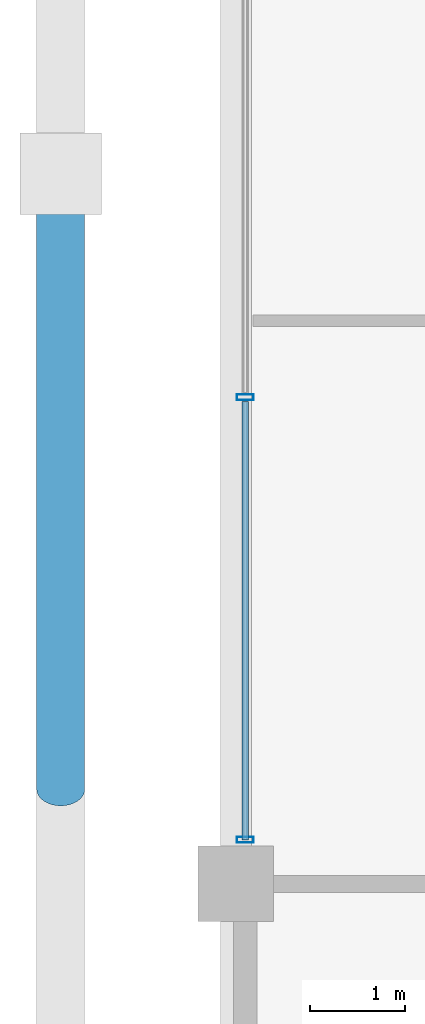
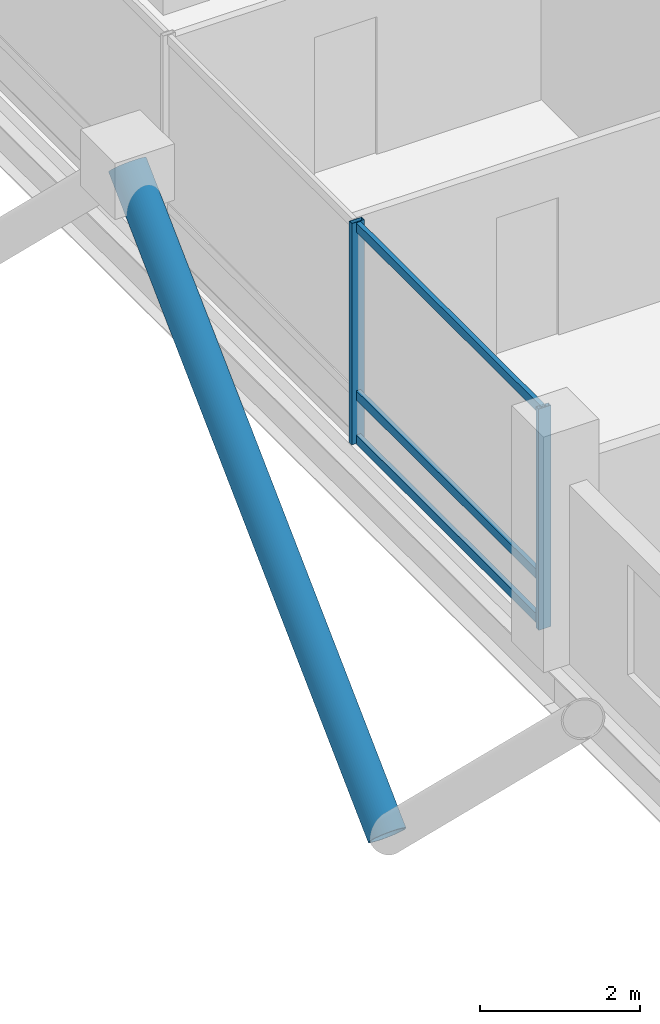
# One storey, part 4 of 22: 6 members, 1 element without a shape of its own.
"""IFC4 building model written with IfcOpenShell, lengths in metres."""

from ifc_helpers import new_model, si_unit, direction, frame, origin, origin_2d, place, context, subcontext, project, spatial, hollow_rectangle, hollow_circle, extrude, material, layer, layer_set, material_profile, profile_set, type_object, element, aggregate, save


model = new_model("IFC4")

# Units and contexts
model_context = context("Model", 3, precision=1e-05, world=origin(), true_north=direction((0.0, 1.0)))
body_context = subcontext(model_context, "Body", "Model", "MODEL_VIEW")
ifc_project = project(units=[si_unit("LENGTHUNIT", "METRE"), si_unit("AREAUNIT", "SQUARE_METRE"), si_unit("VOLUMEUNIT", "CUBIC_METRE"), si_unit("PLANEANGLEUNIT", "RADIAN"), si_unit("MASSUNIT", "GRAM", prefix="KILO")], contexts=[model_context])

# Site, building, storey
site_placement = place(None, origin())
site = spatial("IfcSite", under=ifc_project, at=site_placement, CompositionType="ELEMENT")
building_placement = place(site_placement, origin())
building = spatial("IfcBuilding", under=site, at=building_placement, Name="Barlavira Tower and Art Museum", CompositionType="ELEMENT")
storey_placement = place(building_placement, frame((0.0, 0.0, 129.60009765625)))
storey = spatial("IfcBuildingStorey", under=building, at=storey_placement, Name="L32", CompositionType="ELEMENT", Elevation=129.60009765625)

# Curtain wall, members
ifc_material_1 = material(Name="Low-iron coastal laminated glass", Category="glass")
ifc_layer = layer(ifc_material_1, 0.18994140625, Name="Low-iron coastal laminated glass")
ifc_layer_set = layer_set([ifc_layer], Name="Low-iron coastal laminated glass")
curtain_wall_type = type_object("IfcCurtainWallType", Name="Pale-Metal Unitised Curtain Wall Zone 2", PredefinedType="NOTDEFINED", material=ifc_layer_set)
curtain_wall_placement = place(storey_placement, origin())
curtain_wall = element("IfcCurtainWall", 1, at=curtain_wall_placement, inside=storey, type_object=curtain_wall_type, Name="L32 Curtain Wall CW2-L32-W-B3", PredefinedType="NOTDEFINED")
ifc_material_2 = material(Name="Pale anodised aluminium", Category="aluminium")
ifc_material_profile_1 = material_profile(ifc_material_2, hollow_rectangle(XDim=0.06494140625, YDim=0.179931640625, WallThickness=0.00390625, at=origin_2d()), Name="ALU-MULL 65x180x4")
ifc_profile_set_1 = profile_set([ifc_material_profile_1], Name="Pale anodised aluminium")
member_type_1 = type_object("IfcMemberType", Name="Curtain Wall Pale-Metal Mullion 65x180", PredefinedType="MULLION", material=ifc_profile_set_1)
member_1_placement = place(storey_placement, frame((-20.14990234375, -2.360107421875, 0.0), z_axis=(0.0, 0.0, 1.0), x_axis=(0.0, -1.0, 0.0)))
member_1 = element("IfcMember", 2, at=member_1_placement, type_object=member_type_1, Name="CW2-L32-W-B3 Mullion 2", PredefinedType="MULLION", context=body_context, shape_type="SweptSolid", body=[
    extrude(hollow_rectangle(XDim=0.06494140625, YDim=0.179931640625, WallThickness=0.00390625, at=origin_2d()), origin(), (0.0, 0.0, 1.0), 3.3798828125),
])
member_2_placement = place(storey_placement, frame((-20.14990234375, -7.034912109375, 0.0), z_axis=(0.0, 0.0, 1.0), x_axis=(0.0, -1.0, 0.0)))
member_2 = element("IfcMember", 3, at=member_2_placement, type_object=member_type_1, Name="CW2-L32-W-B3 Mullion 3", PredefinedType="MULLION", context=body_context, shape_type="SweptSolid", body=[
    extrude(hollow_rectangle(XDim=0.06494140625, YDim=0.179931640625, WallThickness=0.00390625, at=origin_2d()), origin(), (0.0, 0.0, 1.0), 3.3798828125),
])
ifc_material_profile_2 = material_profile(ifc_material_2, hollow_rectangle(XDim=0.06494140625, YDim=0.139892578125, WallThickness=0.00390625, at=origin_2d()), Name="ALU-TRAN 65x140x4")
ifc_profile_set_2 = profile_set([ifc_material_profile_2], Name="Pale anodised aluminium")
member_type_2 = type_object("IfcMemberType", Name="Curtain Wall Pale-Metal Transom 65x140", PredefinedType="USERDEFINED", material=ifc_profile_set_2)
member_3_placement = place(storey_placement, frame((-20.14990234375, -2.405029296875, 0.06982421875), z_axis=(0.0, -1.0, 0.0), x_axis=(1.0, 0.0, 0.0)))
member_3 = element("IfcMember", 4, at=member_3_placement, type_object=member_type_2, Name="CW2-L32-W-B3 Transom 2.1", ObjectType="TRANSOM", PredefinedType="USERDEFINED", context=body_context, shape_type="SweptSolid", body=[
    extrude(hollow_rectangle(XDim=0.06494140625, YDim=0.139892578125, WallThickness=0.00390625, at=origin_2d()), origin(), (0.0, 0.0, 1.0), 4.6298828125),
])
member_4_placement = place(storey_placement, frame((-20.14990234375, -2.405029296875, 0.743896484375), z_axis=(0.0, -1.0, 0.0), x_axis=(1.0, 0.0, 0.0)))
member_4 = element("IfcMember", 5, at=member_4_placement, type_object=member_type_2, Name="CW2-L32-W-B3 Transom 2.2", ObjectType="TRANSOM", PredefinedType="USERDEFINED", context=body_context, shape_type="SweptSolid", body=[
    extrude(hollow_rectangle(XDim=0.06494140625, YDim=0.139892578125, WallThickness=0.00390625, at=origin_2d()), origin(), (0.0, 0.0, 1.0), 4.6298828125),
])
member_5_placement = place(storey_placement, frame((-20.14990234375, -2.405029296875, 3.309814453125), z_axis=(0.0, -1.0, 0.0), x_axis=(1.0, 0.0, 0.0)))
member_5 = element("IfcMember", 6, at=member_5_placement, type_object=member_type_2, Name="CW2-L32-W-B3 Transom 2.3", ObjectType="TRANSOM", PredefinedType="USERDEFINED", context=body_context, shape_type="SweptSolid", body=[
    extrude(hollow_rectangle(XDim=0.06494140625, YDim=0.139892578125, WallThickness=0.00390625, at=origin_2d()), origin(), (0.0, 0.0, 1.0), 4.6298828125),
])
aggregate(curtain_wall, [member_1, member_2, member_3, member_4, member_5])

# Member
ifc_material_3 = material(Name="Steel S355", Category="steel")
ifc_material_profile_3 = material_profile(ifc_material_3, hollow_circle(Radius=0.25390625, WallThickness=0.022216796875, at=origin_2d()), Name="CHS 508.0x22.2")
ifc_profile_set_3 = profile_set([ifc_material_profile_3], Name="Steel S355")
member_type_3 = type_object("IfcMemberType", Name="Pale-Metal Exoskeleton Diagrid Tube CHS 508x22 Steel S355", PredefinedType="BRACE", material=ifc_profile_set_3)
member_6_placement = place(storey_placement, frame((-22.10009765625, -6.5, -2.820068359375), z_axis=(0.0, 0.718064979499, 0.695976066555), x_axis=(-1.0, 0.0, 0.0)))
element("IfcMember", 7, at=member_6_placement, inside=storey, type_object=member_type_3, Name="L32 Exoskeleton Diagrid Tube W", PredefinedType="BRACE", context=body_context, shape_type="SweptSolid", body=[
    extrude(hollow_circle(Radius=0.25390625, WallThickness=0.022216796875, at=origin_2d()), origin(), (0.0, 0.0, 1.0), 9.052001953125),
])

save(model, "model.ifc")
